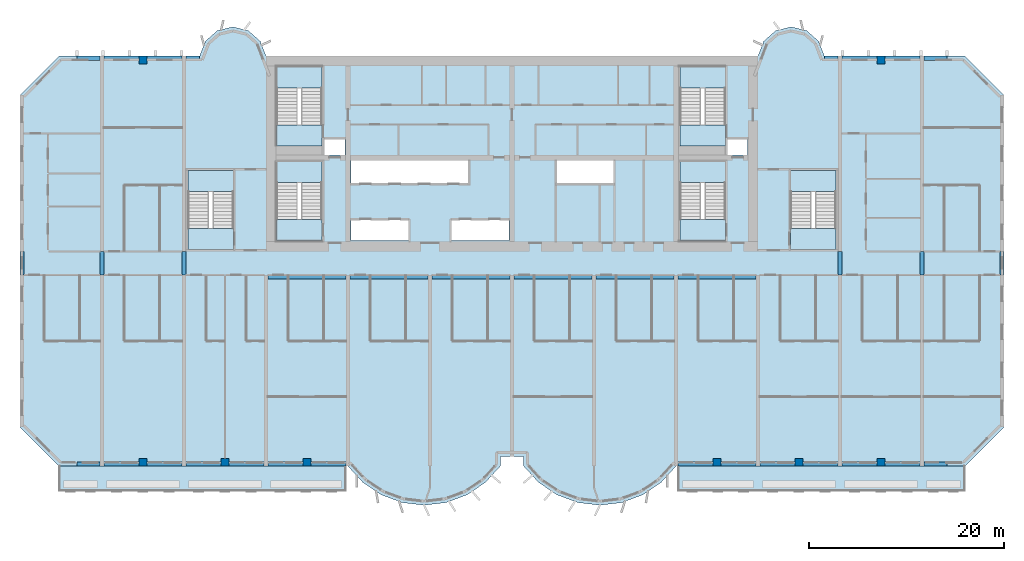
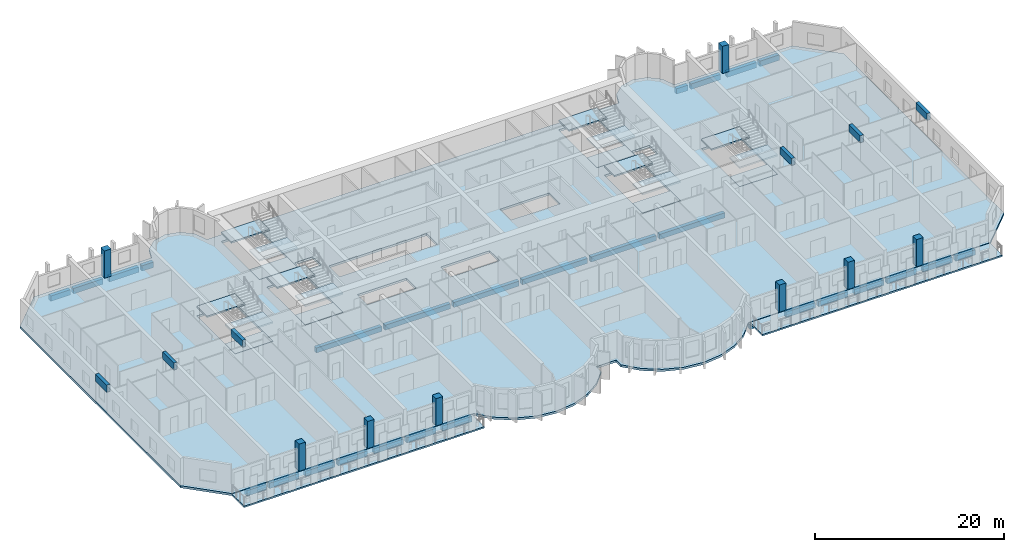
# One storey, part 1 of 15: 34 beams, 21 slabs, 8 columns, 6 elements without a shape of their own.
"""IFC4 building model written with IfcOpenShell, lengths in metres."""

from ifc_helpers import new_model, si_unit, direction, frame, origin, origin_2d, place, context, subcontext, project, spatial, polyline, rectangle, outline, extrude, source, transform, mapped, material, layer, layer_set, material_profile, profile_set, type_object, element, aggregate, save


model = new_model("IFC4")

# Units and contexts
model_context = context("Model", 3, precision=1e-05, world=origin(), true_north=direction((0.0, 1.0)))
body_context = subcontext(model_context, "Body", "Model", "MODEL_VIEW")
ifc_project = project(units=[si_unit("LENGTHUNIT", "METRE"), si_unit("AREAUNIT", "SQUARE_METRE"), si_unit("VOLUMEUNIT", "CUBIC_METRE"), si_unit("PLANEANGLEUNIT", "RADIAN"), si_unit("MASSUNIT", "GRAM", prefix="KILO")], contexts=[model_context])

# Site, building, storey
site_placement = place(None, origin())
site = spatial("IfcSite", under=ifc_project, at=site_placement, CompositionType="ELEMENT")
building_placement = place(site_placement, origin())
building = spatial("IfcBuilding", under=site, at=building_placement, Name="Vanashikhar Sky Hotel", CompositionType="ELEMENT")
storey_placement = place(building_placement, frame((0.0, 0.0, 65.800048828125)))
storey = spatial("IfcBuildingStorey", under=building, at=storey_placement, Name="L15", CompositionType="ELEMENT", Elevation=65.800048828125)

# Columns
ifc_material_1 = material(Name="Concrete M70", Category="concrete")
ifc_material_profile_1 = material_profile(ifc_material_1, rectangle(XDim=0.800048828125, YDim=0.800048828125, at=origin_2d()))
ifc_profile_set_1 = profile_set([ifc_material_profile_1], Name="RC 800x800 column Concrete M70")
column_type = type_object("IfcColumnType", Name="RC 800x800 column Concrete M70", PredefinedType="COLUMN", material=ifc_profile_set_1)
shared_shape_1 = source(origin(), body_context, "Body", "SweptSolid", [
    extrude(rectangle(XDim=0.800048828125, YDim=0.800048828125, at=origin_2d()), origin(), (0.0, 0.0, 1.0), 3.52001953125),
])
for number, where, z_axis, x_axis, name in (
    (1, (12.60009765625, 0.39990234375, 0.0), (0.0, 0.0, 1.0), (1.0, 0.0, 0.0), "CL-L15-CF02"),
    (2, (21.0, 0.39990234375, 0.0), (0.0, 0.0, 1.0), (1.0, 0.0, 0.0), "CL-L15-CF03"),
    (3, (29.39990234375, 0.39990234375, 0.0), (0.0, 0.0, 1.0), (1.0, 0.0, 0.0), "CL-L15-CF04"),
    (4, (71.39990234375, 0.39990234375, 0.0), (0.0, 0.0, 1.0), (1.0, 0.0, 0.0), "CL-L15-CF09"),
    (5, (79.800048828125, 0.39990234375, 0.0), (0.0, 0.0, 1.0), (1.0, 0.0, 0.0), "CL-L15-CF10"),
    (6, (88.199951171875, 0.39990234375, 0.0), (0.0, 0.0, 1.0), (1.0, 0.0, 0.0), "CL-L15-CF11"),
    (7, (12.60009765625, 41.60009765625, 0.0), (0.0, 0.0, 1.0), (1.0, 0.0, 0.0), "CL-L15-CR02"),
    (8, (88.199951171875, 41.60009765625, 0.0), (0.0, 0.0, 1.0), (1.0, 0.0, 0.0), "CL-L15-CR11"),
):
    element("IfcColumn", number, at=place(storey_placement, frame(where, z_axis=z_axis, x_axis=x_axis)), inside=storey, type_object=column_type, Name=name, PredefinedType="COLUMN", context=body_context, shape_type="MappedRepresentation", body=[
        mapped(shared_shape_1, transform((0.0, 0.0, 0.0), scale=1.0)),
    ])

# Beams
ifc_material_2 = material(Name="Concrete M50", Category="concrete")
ifc_material_profile_2 = material_profile(ifc_material_2, rectangle(XDim=0.39990234375, YDim=0.89990234375, at=origin_2d()))
ifc_profile_set_2 = profile_set([ifc_material_profile_2], Name="RC 400x900 beam Concrete M50")
beam_type_1 = type_object("IfcBeamType", Name="RC 400x900 beam Concrete M50", PredefinedType="LINTEL", material=ifc_profile_set_2)
shared_shape_2 = source(origin(), body_context, "Body", "SweptSolid", [
    extrude(rectangle(XDim=0.39990234375, YDim=0.89990234375, at=origin_2d()), origin(), (0.0, 0.0, 1.0), 2.39990234375),
])
for number, where, z_axis, x_axis, name in (
    (9, (0.199951171875, 19.60009765625, 3.070068359375), (0.0, 1.0, 0.0), (-1.0, 0.0, 0.0), "LB-L15-XW01"),
    (10, (8.39990234375, 19.60009765625, 3.070068359375), (0.0, 1.0, 0.0), (-1.0, 0.0, 0.0), "LB-L15-XW02"),
    (11, (16.800048828125, 19.60009765625, 3.070068359375), (0.0, 1.0, 0.0), (-1.0, 0.0, 0.0), "LB-L15-XW03"),
    (12, (84.0, 19.60009765625, 3.070068359375), (0.0, 1.0, 0.0), (-1.0, 0.0, 0.0), "LB-L15-XW11"),
    (13, (92.39990234375, 19.60009765625, 3.070068359375), (0.0, 1.0, 0.0), (-1.0, 0.0, 0.0), "LB-L15-XW12"),
    (14, (100.60009765625, 19.60009765625, 3.070068359375), (0.0, 1.0, 0.0), (-1.0, 0.0, 0.0), "LB-L15-XW13"),
):
    element("IfcBeam", number, at=place(storey_placement, frame(where, z_axis=z_axis, x_axis=x_axis)), inside=storey, type_object=beam_type_1, Name=name, PredefinedType="LINTEL", context=body_context, shape_type="MappedRepresentation", body=[
        mapped(shared_shape_2, transform((0.0, 0.0, 0.0), scale=1.0)),
    ])
ifc_material_profile_3 = material_profile(ifc_material_2, rectangle(XDim=0.449951171875, YDim=0.699951171875, at=origin_2d()))
ifc_profile_set_3 = profile_set([ifc_material_profile_3], Name="RC 450x700 beam Concrete M50")
beam_type_2 = type_object("IfcBeamType", Name="RC 450x700 beam Concrete M50", PredefinedType="BEAM", material=ifc_profile_set_3)
shared_shape_3 = source(origin(), body_context, "Body", "SweptSolid", [
    extrude(rectangle(XDim=0.449951171875, YDim=0.699951171875, at=origin_2d()), origin(), (0.0, 0.0, 1.0), 3.599853515625),
])
for number, where, z_axis, x_axis, name in (
    (15, (8.60009765625, 0.22509765625, -0.630126953125), (1.0, 0.0, 0.0), (0.0, 1.0, 0.0), "EB-L15-F01"),
    (16, (29.800048828125, 0.22509765625, -0.630126953125), (1.0, 0.0, 0.0), (0.0, 1.0, 0.0), "EB-L15-F06"),
    (17, (71.800048828125, 0.22509765625, -0.630126953125), (1.0, 0.0, 0.0), (0.0, 1.0, 0.0), "EB-L15-F09"),
    (18, (75.800048828125, 0.22509765625, -0.630126953125), (1.0, 0.0, 0.0), (0.0, 1.0, 0.0), "EB-L15-F10"),
    (19, (88.60009765625, 0.22509765625, -0.630126953125), (1.0, 0.0, 0.0), (0.0, 1.0, 0.0), "EB-L15-F13"),
    (20, (8.60009765625, 41.77490234375, -0.630126953125), (1.0, 0.0, 0.0), (0.0, 1.0, 0.0), "EB-L15-R01"),
    (21, (88.60009765625, 41.77490234375, -0.630126953125), (1.0, 0.0, 0.0), (0.0, 1.0, 0.0), "EB-L15-R06"),
):
    element("IfcBeam", number, at=place(storey_placement, frame(where, z_axis=z_axis, x_axis=x_axis)), inside=storey, type_object=beam_type_2, Name=name, PredefinedType="BEAM", context=body_context, shape_type="MappedRepresentation", body=[
        mapped(shared_shape_3, transform((0.0, 0.0, 0.0), scale=1.0)),
    ])
shared_shape_4 = source(origin(), body_context, "Body", "SweptSolid", [
    extrude(rectangle(XDim=0.449951171875, YDim=0.699951171875, at=origin_2d()), origin(), (0.0, 0.0, 1.0), 3.60009765625),
])
for number, where, z_axis, x_axis, name in (
    (22, (13.0, 0.22509765625, -0.630126953125), (1.0, 0.0, 0.0), (0.0, 1.0, 0.0), "EB-L15-F02"),
    (23, (17.0, 0.22509765625, -0.630126953125), (1.0, 0.0, 0.0), (0.0, 1.0, 0.0), "EB-L15-F03"),
    (24, (21.39990234375, 0.22509765625, -0.630126953125), (1.0, 0.0, 0.0), (0.0, 1.0, 0.0), "EB-L15-F04"),
    (25, (25.39990234375, 0.22509765625, -0.630126953125), (1.0, 0.0, 0.0), (0.0, 1.0, 0.0), "EB-L15-F05"),
    (26, (67.39990234375, 0.22509765625, -0.630126953125), (1.0, 0.0, 0.0), (0.0, 1.0, 0.0), "EB-L15-F08"),
    (27, (80.199951171875, 0.22509765625, -0.630126953125), (1.0, 0.0, 0.0), (0.0, 1.0, 0.0), "EB-L15-F11"),
    (28, (84.199951171875, 0.22509765625, -0.630126953125), (1.0, 0.0, 0.0), (0.0, 1.0, 0.0), "EB-L15-F12"),
    (29, (13.0, 41.77490234375, -0.630126953125), (1.0, 0.0, 0.0), (0.0, 1.0, 0.0), "EB-L15-R02"),
    (30, (84.199951171875, 41.77490234375, -0.630126953125), (1.0, 0.0, 0.0), (0.0, 1.0, 0.0), "EB-L15-R05"),
):
    element("IfcBeam", number, at=place(storey_placement, frame(where, z_axis=z_axis, x_axis=x_axis)), inside=storey, type_object=beam_type_2, Name=name, PredefinedType="BEAM", context=body_context, shape_type="MappedRepresentation", body=[
        mapped(shared_shape_4, transform((0.0, 0.0, 0.0), scale=1.0)),
    ])
ifc_material_profile_4 = material_profile(ifc_material_2, rectangle(XDim=0.449951171875, YDim=0.699951171875, at=origin_2d()))
ifc_profile_set_4 = profile_set([ifc_material_profile_4], Name="RC 450x700 cantilever beam Concrete M50")
beam_type_3 = type_object("IfcBeamType", Name="RC 450x700 cantilever beam Concrete M50", PredefinedType="SPANDREL", material=ifc_profile_set_4)
shared_shape_5 = source(origin(), body_context, "Body", "SweptSolid", [
    extrude(rectangle(XDim=0.449951171875, YDim=0.699951171875, at=origin_2d()), origin(), (0.0, 0.0, 1.0), 2.3798828125),
])
for number, where, z_axis, x_axis, name in (
    (31, (5.820068359375, 0.22509765625, -0.630126953125), (1.0, 0.0, 0.0), (0.0, 1.0, 0.0), "EB-L15-F07"),
    (32, (92.60009765625, 0.22509765625, -0.630126953125), (1.0, 0.0, 0.0), (0.0, 1.0, 0.0), "EB-L15-F14"),
    (33, (5.820068359375, 41.77490234375, -0.630126953125), (1.0, 0.0, 0.0), (0.0, 1.0, 0.0), "EB-L15-R03"),
    (34, (92.60009765625, 41.77490234375, -0.630126953125), (1.0, 0.0, 0.0), (0.0, 1.0, 0.0), "EB-L15-R08"),
):
    element("IfcBeam", number, at=place(storey_placement, frame(where, z_axis=z_axis, x_axis=x_axis)), inside=storey, type_object=beam_type_3, Name=name, PredefinedType="SPANDREL", context=body_context, shape_type="MappedRepresentation", body=[
        mapped(shared_shape_5, transform((0.0, 0.0, 0.0), scale=1.0)),
    ])
shared_shape_6 = source(origin(), body_context, "Body", "SweptSolid", [
    extrude(rectangle(XDim=0.449951171875, YDim=0.699951171875, at=origin_2d()), origin(), (0.0, 0.0, 1.0), 1.39990234375),
])
beam_1_placement = place(storey_placement, frame((17.0, 41.77490234375, -0.630126953125), z_axis=(1.0, 0.0, 0.0), x_axis=(0.0, 1.0, 0.0)))
element("IfcBeam", 35, at=beam_1_placement, inside=storey, type_object=beam_type_3, Name="EB-L15-R04", PredefinedType="SPANDREL", context=body_context, shape_type="MappedRepresentation", body=[
    mapped(shared_shape_6, transform((0.0, 0.0, 0.0), scale=1.0)),
])
shared_shape_7 = source(origin(), body_context, "Body", "SweptSolid", [
    extrude(rectangle(XDim=0.449951171875, YDim=0.699951171875, at=origin_2d()), origin(), (0.0, 0.0, 1.0), 1.400146484375),
])
beam_2_placement = place(storey_placement, frame((82.39990234375, 41.77490234375, -0.630126953125), z_axis=(1.0, 0.0, 0.0), x_axis=(0.0, 1.0, 0.0)))
element("IfcBeam", 36, at=beam_2_placement, inside=storey, type_object=beam_type_3, Name="EB-L15-R07", PredefinedType="SPANDREL", context=body_context, shape_type="MappedRepresentation", body=[
    mapped(shared_shape_7, transform((0.0, 0.0, 0.0), scale=1.0)),
])
ifc_material_profile_5 = material_profile(ifc_material_2, rectangle(XDim=0.449951171875, YDim=0.64990234375, at=origin_2d()))
ifc_profile_set_5 = profile_set([ifc_material_profile_5], Name="RC 450x650 beam Concrete M50")
beam_type_4 = type_object("IfcBeamType", Name="RC 450x650 beam Concrete M50", PredefinedType="BEAM", material=ifc_profile_set_5)
shared_shape_8 = source(origin(), body_context, "Body", "SweptSolid", [
    extrude(rectangle(XDim=0.449951171875, YDim=0.64990234375, at=origin_2d()), origin(), (0.0, 0.0, 1.0), 8.0),
])
for number, where, z_axis, x_axis, name in (
    (37, (25.39990234375, 19.375, -0.60498046875), (1.0, 0.0, 0.0), (0.0, 1.0, 0.0), "CB-L15-01"),
    (38, (33.800048828125, 19.375, -0.60498046875), (1.0, 0.0, 0.0), (0.0, 1.0, 0.0), "CB-L15-02"),
    (39, (42.199951171875, 19.375, -0.60498046875), (1.0, 0.0, 0.0), (0.0, 1.0, 0.0), "CB-L15-03"),
    (40, (50.60009765625, 19.375, -0.60498046875), (1.0, 0.0, 0.0), (0.0, 1.0, 0.0), "CB-L15-04"),
    (41, (59.0, 19.375, -0.60498046875), (1.0, 0.0, 0.0), (0.0, 1.0, 0.0), "CB-L15-05"),
    (42, (67.39990234375, 19.375, -0.60498046875), (1.0, 0.0, 0.0), (0.0, 1.0, 0.0), "CB-L15-06"),
):
    element("IfcBeam", number, at=place(storey_placement, frame(where, z_axis=z_axis, x_axis=x_axis)), inside=storey, type_object=beam_type_4, Name=name, PredefinedType="BEAM", context=body_context, shape_type="MappedRepresentation", body=[
        mapped(shared_shape_8, transform((0.0, 0.0, 0.0), scale=1.0)),
    ])

# Slabs
ifc_material_3 = material(Name="Concrete M40", Category="concrete")
ifc_layer_1 = layer(ifc_material_3, 0.280029296875)
ifc_layer_set_1 = layer_set([ifc_layer_1], Name="Floor slab 280 mm")
slab_type_1 = type_object("IfcSlabType", Name="Floor slab 280 mm", PredefinedType="FLOOR", material=ifc_layer_set_1)
shared_shape_9 = source(origin(), body_context, "Body", "SweptSolid", [
    extrude(outline(polyline([(49.199951171875, 0.0), (49.199951171875, 1.0), (51.60009765625, 1.0), (51.60009765625, 0.0), (53.133056640625, -1.674072265625), (55.01708984375, -2.94189453125), (57.14599609375, -3.73193359375), (59.39990234375, -4.0), (61.654052734375, -3.73193359375), (63.782958984375, -2.94189453125), (65.6669921875, -1.674072265625), (67.199951171875, 0.0), (96.800048828125, 0.0), (100.800048828125, 4.0), (100.800048828125, 38.0), (96.800048828125, 42.0), (82.39990234375, 42.0), (81.81494140625, 43.527099609375), (80.587890625, 44.610107421875), (79.0, 45.0), (77.412109375, 44.610107421875), (76.18505859375, 43.527099609375), (75.60009765625, 42.0), (25.199951171875, 42.0), (24.614990234375, 43.527099609375), (23.387939453125, 44.610107421875), (21.800048828125, 45.0), (20.2119140625, 44.610107421875), (18.985107421875, 43.527099609375), (18.39990234375, 42.0), (4.0, 42.0), (0.0, 38.0), (0.0, 4.0), (4.0, 0.0), (33.60009765625, 0.0), (35.133056640625, -1.674072265625), (37.01708984375, -2.94189453125), (39.14599609375, -3.73193359375), (41.39990234375, -4.0), (43.654052734375, -3.73193359375), (45.782958984375, -2.94189453125), (47.6669921875, -1.674072265625), (49.199951171875, 0.0)]), holes=[polyline([(33.300048828125, 33.60009765625), (31.050048828125, 33.60009765625), (31.050048828125, 31.89990234375), (33.300048828125, 31.89990234375), (33.300048828125, 33.60009765625)]), polyline([(33.89990234375, 25.199951171875), (33.89990234375, 23.10009765625), (39.89990234375, 23.10009765625), (39.89990234375, 25.199951171875), (33.89990234375, 25.199951171875)]), polyline([(33.89990234375, 31.300048828125), (33.89990234375, 29.0), (45.89990234375, 29.0), (45.89990234375, 31.300048828125), (33.89990234375, 31.300048828125)]), polyline([(44.10009765625, 25.199951171875), (44.10009765625, 23.10009765625), (50.10009765625, 23.10009765625), (50.10009765625, 25.199951171875), (44.10009765625, 25.199951171875)]), polyline([(54.89990234375, 31.300048828125), (54.89990234375, 29.0), (60.89990234375, 29.0), (60.89990234375, 31.300048828125), (54.89990234375, 31.300048828125)]), polyline([(74.5, 33.60009765625), (72.35009765625, 33.60009765625), (72.35009765625, 31.89990234375), (74.5, 31.89990234375), (74.5, 33.60009765625)]), polyline([(30.949951171875, 23.10009765625), (30.949951171875, 31.199951171875), (26.300048828125, 31.199951171875), (26.300048828125, 23.10009765625), (30.949951171875, 23.10009765625)]), polyline([(72.25, 23.10009765625), (72.25, 31.199951171875), (67.60009765625, 31.199951171875), (67.60009765625, 23.10009765625), (72.25, 23.10009765625)]), polyline([(30.949951171875, 32.800048828125), (30.949951171875, 40.89990234375), (26.300048828125, 40.89990234375), (26.300048828125, 32.800048828125), (30.949951171875, 32.800048828125)]), polyline([(72.25, 32.800048828125), (72.25, 40.89990234375), (67.60009765625, 40.89990234375), (67.60009765625, 32.800048828125), (72.25, 32.800048828125)]), polyline([(83.60009765625, 22.199951171875), (83.60009765625, 30.300048828125), (78.949951171875, 30.300048828125), (78.949951171875, 22.199951171875), (83.60009765625, 22.199951171875)]), polyline([(21.85009765625, 22.199951171875), (21.85009765625, 30.300048828125), (17.199951171875, 30.300048828125), (17.199951171875, 22.199951171875), (21.85009765625, 22.199951171875)])]), origin(), (0.0, 0.0, 1.0), 0.280029296875),
])
slab_1_placement = place(storey_placement, frame((0.0, 0.0, -0.280029296875)))
element("IfcSlab", 43, at=slab_1_placement, inside=storey, type_object=slab_type_1, Name="Floor slab L15", PredefinedType="FLOOR", context=body_context, shape_type="MappedRepresentation", body=[
    mapped(shared_shape_9, transform((0.0, 0.0, 0.0), scale=1.0)),
])
ifc_layer_2 = layer(ifc_material_3, 0.199951171875)
ifc_layer_set_2 = layer_set([ifc_layer_2], Name="Balcony slab 200 mm")
slab_type_2 = type_object("IfcSlabType", Name="Balcony slab 200 mm", PredefinedType="USERDEFINED", material=ifc_layer_set_2)
shared_shape_10 = source(origin(), body_context, "Body", "SweptSolid", [
    extrude(outline(polyline([(4.0, -2.60009765625), (33.39990234375, -2.60009765625), (33.39990234375, 0.0), (4.0, 0.0), (4.0, -2.60009765625)])), origin(), (0.0, 0.0, 1.0), 0.199951171875),
])
slab_2_placement = place(storey_placement, frame((0.0, 0.0, -0.25)))
element("IfcSlab", 44, at=slab_2_placement, inside=storey, type_object=slab_type_2, Name="Balcony slab L15 1", ObjectType="BALCONY", PredefinedType="USERDEFINED", context=body_context, shape_type="MappedRepresentation", body=[
    mapped(shared_shape_10, transform((0.0, 0.0, 0.0), scale=1.0)),
])
shared_shape_11 = source(origin(), body_context, "Body", "SweptSolid", [
    extrude(outline(polyline([(67.39990234375, -2.60009765625), (96.800048828125, -2.60009765625), (96.800048828125, 0.0), (67.39990234375, 0.0), (67.39990234375, -2.60009765625)])), origin(), (0.0, 0.0, 1.0), 0.199951171875),
])
slab_3_placement = place(storey_placement, frame((0.0, 0.0, -0.25)))
element("IfcSlab", 45, at=slab_3_placement, inside=storey, type_object=slab_type_2, Name="Balcony slab L15 2", ObjectType="BALCONY", PredefinedType="USERDEFINED", context=body_context, shape_type="MappedRepresentation", body=[
    mapped(shared_shape_11, transform((0.0, 0.0, 0.0), scale=1.0)),
])

# Stair, slabs
stair_type = type_object("IfcStairType", Name="Exit stair 2150", PredefinedType="DOUBLE_RETURN_STAIR", material=ifc_material_3)
stair_1_placement = place(storey_placement, origin())
stair_1 = element("IfcStair", 46, at=stair_1_placement, inside=storey, type_object=stair_type, Name="L15 Exit stair 1", PredefinedType="DOUBLE_RETURN_STAIR")
ifc_layer_3 = layer(ifc_material_3, 0.199951171875)
ifc_layer_set_3 = layer_set([ifc_layer_3], Name="Stair landing 200")
slab_type_3 = type_object("IfcSlabType", Name="Stair landing 200", PredefinedType="LANDING", material=ifc_layer_set_3)
shared_shape_12 = source(origin(), body_context, "Body", "SweptSolid", [
    extrude(outline(polyline([(30.949951171875, 29.050048828125), (30.949951171875, 31.199951171875), (26.300048828125, 31.199951171875), (26.300048828125, 29.050048828125), (30.949951171875, 29.050048828125)])), origin(), (0.0, 0.0, 1.0), 0.199951171875),
])
slab_4_placement = place(storey_placement, frame((0.0, 0.0, 1.066650390625)))
slab_4 = element("IfcSlab", 47, at=slab_4_placement, type_object=slab_type_3, Name="ST-C1 landing 1", PredefinedType="LANDING", context=body_context, shape_type="MappedRepresentation", body=[
    mapped(shared_shape_12, transform((0.0, 0.0, 0.0), scale=1.0)),
])
shared_shape_13 = source(origin(), body_context, "Body", "SweptSolid", [
    extrude(outline(polyline([(30.949951171875, 23.10009765625), (30.949951171875, 25.25), (26.300048828125, 25.25), (26.300048828125, 23.10009765625), (30.949951171875, 23.10009765625)])), origin(), (0.0, 0.0, 1.0), 0.199951171875),
])
slab_5_placement = place(storey_placement, frame((0.0, 0.0, 2.333251953125)))
slab_5 = element("IfcSlab", 48, at=slab_5_placement, type_object=slab_type_3, Name="ST-C1 landing 2", PredefinedType="LANDING", context=body_context, shape_type="MappedRepresentation", body=[
    mapped(shared_shape_13, transform((0.0, 0.0, 0.0), scale=1.0)),
])
aggregate(stair_1, [slab_4, slab_5])

# Slab
ifc_layer_4 = layer(ifc_material_3, 0.280029296875)
ifc_layer_set_4 = layer_set([ifc_layer_4], Name="Stair floor landing 280")
slab_type_4 = type_object("IfcSlabType", Name="Stair floor landing 280", PredefinedType="LANDING", material=ifc_layer_set_4)
shared_shape_14 = source(origin(), body_context, "Body", "SweptSolid", [
    extrude(outline(polyline([(30.949951171875, 23.10009765625), (30.949951171875, 25.25), (26.300048828125, 25.25), (26.300048828125, 23.10009765625), (30.949951171875, 23.10009765625)])), origin(), (0.0, 0.0, 1.0), 0.280029296875),
])
slab_6_placement = place(storey_placement, frame((0.0, 0.0, -0.280029296875)))
element("IfcSlab", 49, at=slab_6_placement, inside=storey, type_object=slab_type_4, Name="Exit stair 1 floor landing", PredefinedType="LANDING", context=body_context, shape_type="MappedRepresentation", body=[
    mapped(shared_shape_14, transform((0.0, 0.0, 0.0), scale=1.0)),
])

# Stair, slabs
stair_2_placement = place(storey_placement, origin())
stair_2 = element("IfcStair", 50, at=stair_2_placement, inside=storey, type_object=stair_type, Name="L15 Exit stair 2", PredefinedType="DOUBLE_RETURN_STAIR")
shared_shape_15 = source(origin(), body_context, "Body", "SweptSolid", [
    extrude(outline(polyline([(72.25, 29.050048828125), (72.25, 31.199951171875), (67.60009765625, 31.199951171875), (67.60009765625, 29.050048828125), (72.25, 29.050048828125)])), origin(), (0.0, 0.0, 1.0), 0.199951171875),
])
slab_7_placement = place(storey_placement, frame((0.0, 0.0, 1.066650390625)))
slab_7 = element("IfcSlab", 51, at=slab_7_placement, type_object=slab_type_3, Name="ST-C2 landing 1", PredefinedType="LANDING", context=body_context, shape_type="MappedRepresentation", body=[
    mapped(shared_shape_15, transform((0.0, 0.0, 0.0), scale=1.0)),
])
shared_shape_16 = source(origin(), body_context, "Body", "SweptSolid", [
    extrude(outline(polyline([(72.25, 23.10009765625), (72.25, 25.25), (67.60009765625, 25.25), (67.60009765625, 23.10009765625), (72.25, 23.10009765625)])), origin(), (0.0, 0.0, 1.0), 0.199951171875),
])
slab_8_placement = place(storey_placement, frame((0.0, 0.0, 2.333251953125)))
slab_8 = element("IfcSlab", 52, at=slab_8_placement, type_object=slab_type_3, Name="ST-C2 landing 2", PredefinedType="LANDING", context=body_context, shape_type="MappedRepresentation", body=[
    mapped(shared_shape_16, transform((0.0, 0.0, 0.0), scale=1.0)),
])
aggregate(stair_2, [slab_7, slab_8])

# Slab
shared_shape_17 = source(origin(), body_context, "Body", "SweptSolid", [
    extrude(outline(polyline([(72.25, 23.10009765625), (72.25, 25.25), (67.60009765625, 25.25), (67.60009765625, 23.10009765625), (72.25, 23.10009765625)])), origin(), (0.0, 0.0, 1.0), 0.280029296875),
])
slab_9_placement = place(storey_placement, frame((0.0, 0.0, -0.280029296875)))
element("IfcSlab", 53, at=slab_9_placement, inside=storey, type_object=slab_type_4, Name="Exit stair 2 floor landing", PredefinedType="LANDING", context=body_context, shape_type="MappedRepresentation", body=[
    mapped(shared_shape_17, transform((0.0, 0.0, 0.0), scale=1.0)),
])

# Stair, slabs
stair_3_placement = place(storey_placement, origin())
stair_3 = element("IfcStair", 54, at=stair_3_placement, inside=storey, type_object=stair_type, Name="L15 Exit stair 3", PredefinedType="DOUBLE_RETURN_STAIR")
shared_shape_18 = source(origin(), body_context, "Body", "SweptSolid", [
    extrude(outline(polyline([(21.85009765625, 28.14990234375), (21.85009765625, 30.300048828125), (17.199951171875, 30.300048828125), (17.199951171875, 28.14990234375), (21.85009765625, 28.14990234375)])), origin(), (0.0, 0.0, 1.0), 0.199951171875),
])
slab_10_placement = place(storey_placement, frame((0.0, 0.0, 1.066650390625)))
slab_10 = element("IfcSlab", 55, at=slab_10_placement, type_object=slab_type_3, Name="ST-W landing 1", PredefinedType="LANDING", context=body_context, shape_type="MappedRepresentation", body=[
    mapped(shared_shape_18, transform((0.0, 0.0, 0.0), scale=1.0)),
])
shared_shape_19 = source(origin(), body_context, "Body", "SweptSolid", [
    extrude(outline(polyline([(21.85009765625, 22.199951171875), (21.85009765625, 24.35009765625), (17.199951171875, 24.35009765625), (17.199951171875, 22.199951171875), (21.85009765625, 22.199951171875)])), origin(), (0.0, 0.0, 1.0), 0.199951171875),
])
slab_11_placement = place(storey_placement, frame((0.0, 0.0, 2.333251953125)))
slab_11 = element("IfcSlab", 56, at=slab_11_placement, type_object=slab_type_3, Name="ST-W landing 2", PredefinedType="LANDING", context=body_context, shape_type="MappedRepresentation", body=[
    mapped(shared_shape_19, transform((0.0, 0.0, 0.0), scale=1.0)),
])
aggregate(stair_3, [slab_10, slab_11])

# Slab
shared_shape_20 = source(origin(), body_context, "Body", "SweptSolid", [
    extrude(outline(polyline([(21.85009765625, 22.199951171875), (21.85009765625, 24.35009765625), (17.199951171875, 24.35009765625), (17.199951171875, 22.199951171875), (21.85009765625, 22.199951171875)])), origin(), (0.0, 0.0, 1.0), 0.280029296875),
])
slab_12_placement = place(storey_placement, frame((0.0, 0.0, -0.280029296875)))
element("IfcSlab", 57, at=slab_12_placement, inside=storey, type_object=slab_type_4, Name="Exit stair 3 floor landing", PredefinedType="LANDING", context=body_context, shape_type="MappedRepresentation", body=[
    mapped(shared_shape_20, transform((0.0, 0.0, 0.0), scale=1.0)),
])

# Stair, slabs
stair_4_placement = place(storey_placement, origin())
stair_4 = element("IfcStair", 58, at=stair_4_placement, inside=storey, type_object=stair_type, Name="L15 Exit stair 4", PredefinedType="DOUBLE_RETURN_STAIR")
shared_shape_21 = source(origin(), body_context, "Body", "SweptSolid", [
    extrude(outline(polyline([(83.60009765625, 28.14990234375), (83.60009765625, 30.300048828125), (78.949951171875, 30.300048828125), (78.949951171875, 28.14990234375), (83.60009765625, 28.14990234375)])), origin(), (0.0, 0.0, 1.0), 0.199951171875),
])
slab_13_placement = place(storey_placement, frame((0.0, 0.0, 1.066650390625)))
slab_13 = element("IfcSlab", 59, at=slab_13_placement, type_object=slab_type_3, Name="ST-E landing 1", PredefinedType="LANDING", context=body_context, shape_type="MappedRepresentation", body=[
    mapped(shared_shape_21, transform((0.0, 0.0, 0.0), scale=1.0)),
])
shared_shape_22 = source(origin(), body_context, "Body", "SweptSolid", [
    extrude(outline(polyline([(83.60009765625, 22.199951171875), (83.60009765625, 24.35009765625), (78.949951171875, 24.35009765625), (78.949951171875, 22.199951171875), (83.60009765625, 22.199951171875)])), origin(), (0.0, 0.0, 1.0), 0.199951171875),
])
slab_14_placement = place(storey_placement, frame((0.0, 0.0, 2.333251953125)))
slab_14 = element("IfcSlab", 60, at=slab_14_placement, type_object=slab_type_3, Name="ST-E landing 2", PredefinedType="LANDING", context=body_context, shape_type="MappedRepresentation", body=[
    mapped(shared_shape_22, transform((0.0, 0.0, 0.0), scale=1.0)),
])
aggregate(stair_4, [slab_13, slab_14])

# Slab
shared_shape_23 = source(origin(), body_context, "Body", "SweptSolid", [
    extrude(outline(polyline([(83.60009765625, 22.199951171875), (83.60009765625, 24.35009765625), (78.949951171875, 24.35009765625), (78.949951171875, 22.199951171875), (83.60009765625, 22.199951171875)])), origin(), (0.0, 0.0, 1.0), 0.280029296875),
])
slab_15_placement = place(storey_placement, frame((0.0, 0.0, -0.280029296875)))
element("IfcSlab", 61, at=slab_15_placement, inside=storey, type_object=slab_type_4, Name="Exit stair 4 floor landing", PredefinedType="LANDING", context=body_context, shape_type="MappedRepresentation", body=[
    mapped(shared_shape_23, transform((0.0, 0.0, 0.0), scale=1.0)),
])

# Stair, slabs
stair_5_placement = place(storey_placement, origin())
stair_5 = element("IfcStair", 62, at=stair_5_placement, inside=storey, type_object=stair_type, Name="L15 Exit stair 5", PredefinedType="DOUBLE_RETURN_STAIR")
shared_shape_24 = source(origin(), body_context, "Body", "SweptSolid", [
    extrude(outline(polyline([(30.949951171875, 38.75), (30.949951171875, 40.89990234375), (26.300048828125, 40.89990234375), (26.300048828125, 38.75), (30.949951171875, 38.75)])), origin(), (0.0, 0.0, 1.0), 0.199951171875),
])
slab_16_placement = place(storey_placement, frame((0.0, 0.0, 1.066650390625)))
slab_16 = element("IfcSlab", 63, at=slab_16_placement, type_object=slab_type_3, Name="ST-C3 landing 1", PredefinedType="LANDING", context=body_context, shape_type="MappedRepresentation", body=[
    mapped(shared_shape_24, transform((0.0, 0.0, 0.0), scale=1.0)),
])
shared_shape_25 = source(origin(), body_context, "Body", "SweptSolid", [
    extrude(outline(polyline([(30.949951171875, 32.800048828125), (30.949951171875, 34.949951171875), (26.300048828125, 34.949951171875), (26.300048828125, 32.800048828125), (30.949951171875, 32.800048828125)])), origin(), (0.0, 0.0, 1.0), 0.199951171875),
])
slab_17_placement = place(storey_placement, frame((0.0, 0.0, 2.333251953125)))
slab_17 = element("IfcSlab", 64, at=slab_17_placement, type_object=slab_type_3, Name="ST-C3 landing 2", PredefinedType="LANDING", context=body_context, shape_type="MappedRepresentation", body=[
    mapped(shared_shape_25, transform((0.0, 0.0, 0.0), scale=1.0)),
])
aggregate(stair_5, [slab_16, slab_17])

# Slab
shared_shape_26 = source(origin(), body_context, "Body", "SweptSolid", [
    extrude(outline(polyline([(30.949951171875, 32.800048828125), (30.949951171875, 34.949951171875), (26.300048828125, 34.949951171875), (26.300048828125, 32.800048828125), (30.949951171875, 32.800048828125)])), origin(), (0.0, 0.0, 1.0), 0.280029296875),
])
slab_18_placement = place(storey_placement, frame((0.0, 0.0, -0.280029296875)))
element("IfcSlab", 65, at=slab_18_placement, inside=storey, type_object=slab_type_4, Name="Exit stair 5 floor landing", PredefinedType="LANDING", context=body_context, shape_type="MappedRepresentation", body=[
    mapped(shared_shape_26, transform((0.0, 0.0, 0.0), scale=1.0)),
])

# Stair, slabs
stair_6_placement = place(storey_placement, origin())
stair_6 = element("IfcStair", 66, at=stair_6_placement, inside=storey, type_object=stair_type, Name="L15 Exit stair 6", PredefinedType="DOUBLE_RETURN_STAIR")
shared_shape_27 = source(origin(), body_context, "Body", "SweptSolid", [
    extrude(outline(polyline([(72.25, 38.75), (72.25, 40.89990234375), (67.60009765625, 40.89990234375), (67.60009765625, 38.75), (72.25, 38.75)])), origin(), (0.0, 0.0, 1.0), 0.199951171875),
])
slab_19_placement = place(storey_placement, frame((0.0, 0.0, 1.066650390625)))
slab_19 = element("IfcSlab", 67, at=slab_19_placement, type_object=slab_type_3, Name="ST-C4 landing 1", PredefinedType="LANDING", context=body_context, shape_type="MappedRepresentation", body=[
    mapped(shared_shape_27, transform((0.0, 0.0, 0.0), scale=1.0)),
])
shared_shape_28 = source(origin(), body_context, "Body", "SweptSolid", [
    extrude(outline(polyline([(72.25, 32.800048828125), (72.25, 34.949951171875), (67.60009765625, 34.949951171875), (67.60009765625, 32.800048828125), (72.25, 32.800048828125)])), origin(), (0.0, 0.0, 1.0), 0.199951171875),
])
slab_20_placement = place(storey_placement, frame((0.0, 0.0, 2.333251953125)))
slab_20 = element("IfcSlab", 68, at=slab_20_placement, type_object=slab_type_3, Name="ST-C4 landing 2", PredefinedType="LANDING", context=body_context, shape_type="MappedRepresentation", body=[
    mapped(shared_shape_28, transform((0.0, 0.0, 0.0), scale=1.0)),
])
aggregate(stair_6, [slab_19, slab_20])

# Slab
shared_shape_29 = source(origin(), body_context, "Body", "SweptSolid", [
    extrude(outline(polyline([(72.25, 32.800048828125), (72.25, 34.949951171875), (67.60009765625, 34.949951171875), (67.60009765625, 32.800048828125), (72.25, 32.800048828125)])), origin(), (0.0, 0.0, 1.0), 0.280029296875),
])
slab_21_placement = place(storey_placement, frame((0.0, 0.0, -0.280029296875)))
element("IfcSlab", 69, at=slab_21_placement, inside=storey, type_object=slab_type_4, Name="Exit stair 6 floor landing", PredefinedType="LANDING", context=body_context, shape_type="MappedRepresentation", body=[
    mapped(shared_shape_29, transform((0.0, 0.0, 0.0), scale=1.0)),
])

save(model, "model.ifc")
